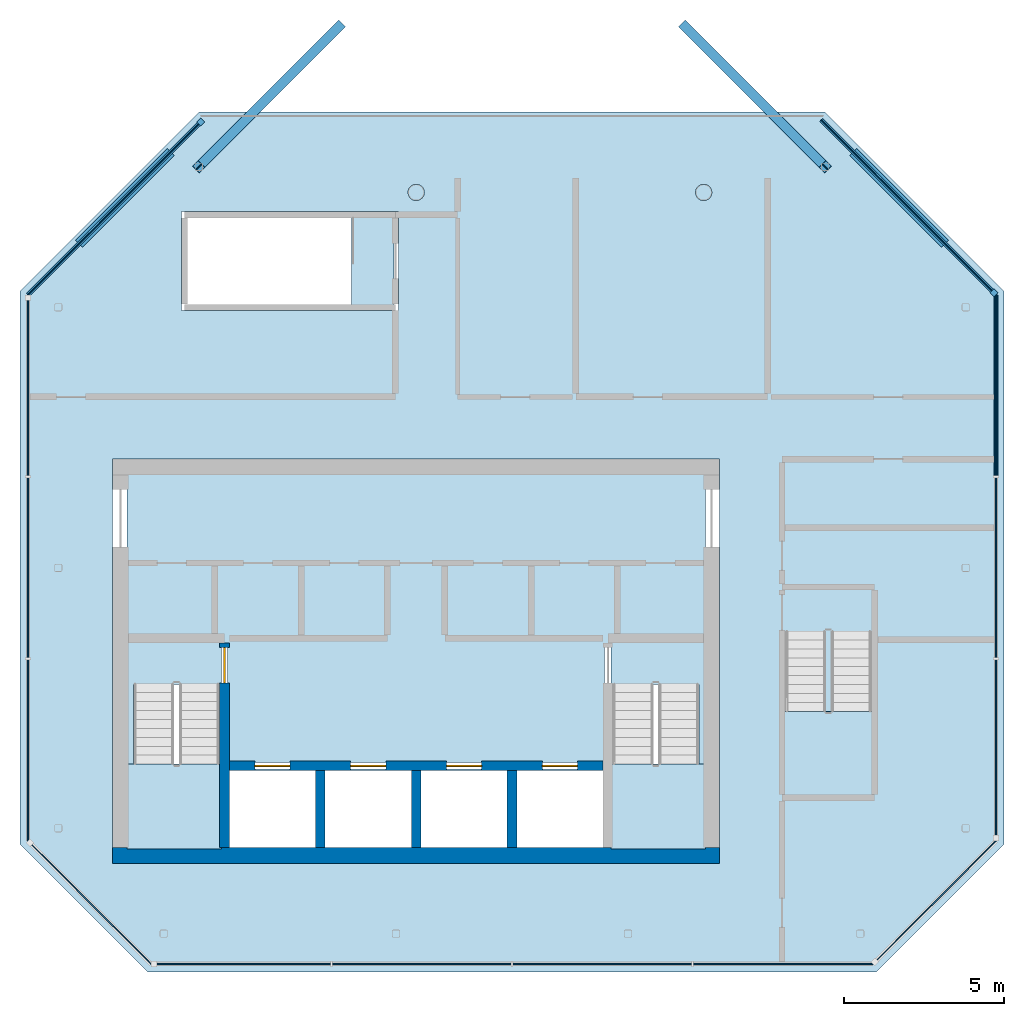
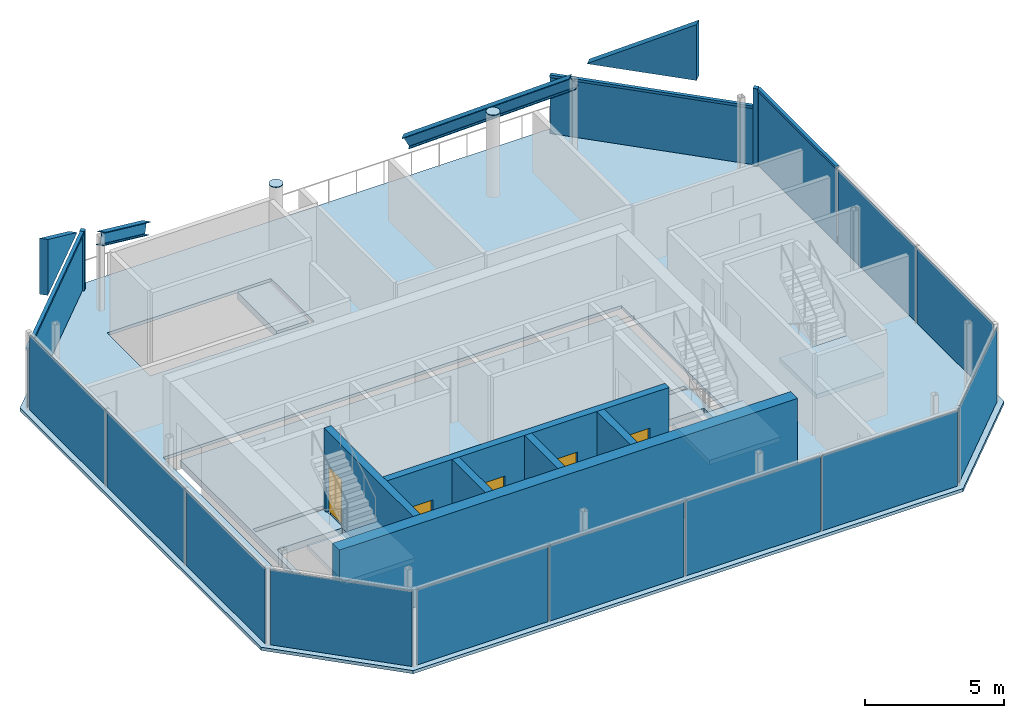
# One storey, part 2 of 5: 18 plates, 6 slabs, 6 walls, 5 doors, 5 members, 2 beams, 5 openings, 10 elements without a shape of their own.
"""IFC4 building model written with IfcOpenShell, lengths in metres."""

from ifc_helpers import new_model, si_unit, direction, frame, frame_2d, origin, origin_2d, place, context, subcontext, project, spatial, polyline, rectangle, circle, i_section, outline, extrude, material, layer, layer_set, material_profile, profile_set, type_object, element, fill, aggregate, save


model = new_model("IFC4")

# Units and contexts
model_context = context("Model", 3, precision=1e-05, world=origin(), true_north=direction((0.0, 1.0)))
body_context = subcontext(model_context, "Body", "Model", "MODEL_VIEW")
ifc_project = project(units=[si_unit("LENGTHUNIT", "METRE"), si_unit("AREAUNIT", "SQUARE_METRE"), si_unit("VOLUMEUNIT", "CUBIC_METRE"), si_unit("PLANEANGLEUNIT", "RADIAN"), si_unit("MASSUNIT", "GRAM", prefix="KILO")], contexts=[model_context])

# Site, building, storey
site_placement = place(None, origin())
site = spatial("IfcSite", under=ifc_project, at=site_placement, CompositionType="ELEMENT")
building_placement = place(site_placement, origin())
building = spatial("IfcBuilding", under=site, at=building_placement, Name="Tskaro Facet Tower", CompositionType="ELEMENT")
storey_placement = place(building_placement, frame((0.0, 0.0, 300.89990234375)))
storey = spatial("IfcBuildingStorey", under=building, at=storey_placement, Name="L81", CompositionType="ELEMENT", Elevation=300.89990234375)

# Curtain wall, member
ifc_material_1 = material(Name="Bronze anodised aluminium 6063-T6", Category="aluminium")
curtain_wall_type = type_object("IfcCurtainWallType", Name="Bronze crown curtain wall (FW5)", PredefinedType="NOTDEFINED", material=ifc_material_1)
curtain_wall_1_placement = place(storey_placement, origin())
curtain_wall_1 = element("IfcCurtainWall", 1, at=curtain_wall_1_placement, inside=storey, type_object=curtain_wall_type, Name="FW5 north-east facet L81", PredefinedType="NOTDEFINED")
ifc_material_profile_1 = material_profile(ifc_material_1, rectangle(XDim=0.179931640625, YDim=0.179931640625, at=origin_2d()), Name="Corner post 180x180")
ifc_profile_set_1 = profile_set([ifc_material_profile_1], Name="Bronze anodised aluminium 6063-T6")
member_type_1 = type_object("IfcMemberType", Name="FW5 bronze corner post 180x180", PredefinedType="MULLION", material=ifc_profile_set_1)
member_1_placement = place(storey_placement, frame((18.08642578125, 5.859619140625, 0.0), z_axis=(0.0, 0.0, 1.0), x_axis=(-0.707106781187, 0.707106781187, 0.0)))
member_1 = element("IfcMember", 2, at=member_1_placement, type_object=member_type_1, Name="FW5 north-east corner post", PredefinedType="MULLION", context=body_context, shape_type="SweptSolid", body=[
    extrude(rectangle(XDim=0.179931640625, YDim=0.179931640625, at=origin_2d()), origin(), (0.0, 0.0, 1.0), 3.400146484375),
])

curtain_wall_2_placement = place(storey_placement, origin())
curtain_wall_2 = element("IfcCurtainWall", 3, at=curtain_wall_2_placement, inside=storey, type_object=curtain_wall_type, Name="FW5 north-west facet L81", PredefinedType="NOTDEFINED")
member_2_placement = place(storey_placement, frame((-6.74169921875, 11.204345703125, 0.0), z_axis=(0.0, 0.0, 1.0), x_axis=(-0.707106781187, -0.707106781187, 0.0)))
member_2 = element("IfcMember", 4, at=member_2_placement, type_object=member_type_1, Name="FW5 north-west corner post", PredefinedType="MULLION", context=body_context, shape_type="SweptSolid", body=[
    extrude(rectangle(XDim=0.179931640625, YDim=0.179931640625, at=origin_2d()), origin(), (0.0, 0.0, 1.0), 2.599853515625),
])

curtain_wall_3_placement = place(storey_placement, origin())
curtain_wall_3 = element("IfcCurtainWall", 5, at=curtain_wall_3_placement, inside=storey, type_object=curtain_wall_type, Name="FW5 east facet L81", PredefinedType="NOTDEFINED")
ifc_material_profile_2 = material_profile(ifc_material_1, rectangle(XDim=0.139892578125, YDim=0.110107421875, at=origin_2d()), Name="Transom 140x110")
ifc_profile_set_2 = profile_set([ifc_material_profile_2], Name="Bronze anodised aluminium 6063-T6")
member_type_2 = type_object("IfcMemberType", Name="FW5 bronze transom 140x110", PredefinedType="USERDEFINED", material=ifc_profile_set_2)
member_3_placement = place(storey_placement, frame((18.14990234375, 0.133544921875, 3.34521484375), z_axis=(0.0, 1.0, 0.0), x_axis=(-1.0, 0.0, 0.0)))
member_3 = element("IfcMember", 6, at=member_3_placement, type_object=member_type_2, Name="FW5 east transom 3.1", ObjectType="TRANSOM", PredefinedType="USERDEFINED", context=body_context, shape_type="SweptSolid", body=[
    extrude(rectangle(XDim=0.139892578125, YDim=0.110107421875, at=origin_2d()), origin(), (0.0, 0.0, 1.0), 5.662353515625),
])

# Member
member_4_placement = place(storey_placement, frame((18.022705078125, 5.92333984375, 2.544921875), z_axis=(-0.707106781187, 0.707106781187, 0.0), x_axis=(-0.707106781187, -0.707106781187, 0.0)))
member_4 = element("IfcMember", 7, at=member_4_placement, type_object=member_type_2, Name="FW5 north-east transom 1.1", ObjectType="TRANSOM", PredefinedType="USERDEFINED", context=body_context, shape_type="SweptSolid", body=[
    extrude(rectangle(XDim=0.139892578125, YDim=0.110107421875, at=origin_2d()), origin(), (0.0, 0.0, 1.0), 7.55859375),
])

member_5_placement = place(storey_placement, frame((-6.80517578125, 11.140625, 2.544921875), z_axis=(-0.707106781187, -0.707106781187, 0.0), x_axis=(0.707106781187, -0.707106781187, 0.0)))
member_5 = element("IfcMember", 8, at=member_5_placement, type_object=member_type_2, Name="FW5 north-west transom 1.1", ObjectType="TRANSOM", PredefinedType="USERDEFINED", context=body_context, shape_type="SweptSolid", body=[
    extrude(rectangle(XDim=0.139892578125, YDim=0.110107421875, at=origin_2d()), origin(), (0.0, 0.0, 1.0), 7.55859375),
])

# Beams
ifc_material_2 = material(Name="Steel S355J2", Category="steel")
ifc_material_profile_3 = material_profile(ifc_material_2, i_section(OverallWidth=0.300048828125, OverallDepth=0.5, WebThickness=0.014404296875, FlangeThickness=0.028076171875, FilletRadius=0.027099609375, at=origin_2d()), Name="HE 500 B")
ifc_profile_set_3 = profile_set([ifc_material_profile_3], Name="Steel S355J2")
beam_type = type_object("IfcBeamType", Name="HE 500 B roof ring beam", PredefinedType="BEAM", material=ifc_profile_set_3)
beam_1_placement = place(storey_placement, frame((12.802001953125, 9.802001953125, 3.093017578125), z_axis=(-0.606144689886, 0.60601012563, -0.515111970892), x_axis=(-0.707028279185, -0.707185274473, 0.0)))
element("IfcBeam", 9, at=beam_1_placement, inside=storey, type_object=beam_type, Name="HE 500 B RB8-6", PredefinedType="BEAM", context=body_context, shape_type="SweptSolid", body=[
    extrude(i_section(OverallWidth=0.300048828125, OverallDepth=0.5, WebThickness=0.014404296875, FlangeThickness=0.028076171875, FilletRadius=0.027099609375, at=origin_2d()), origin(), (0.0, 0.0, 1.0), 7.25732421875),
])
beam_2_placement = place(storey_placement, frame((-2.403076171875, 14.199951171875, -0.645263671875), z_axis=(-0.605978620508, -0.606113177768, 0.515186109308), x_axis=(0.707185274473, -0.707028279185, 0.0)))
element("IfcBeam", 10, at=beam_2_placement, inside=storey, type_object=beam_type, Name="HE 500 B RB11-6", PredefinedType="BEAM", context=body_context, shape_type="SweptSolid", body=[
    extrude(i_section(OverallWidth=0.300048828125, OverallDepth=0.5, WebThickness=0.014404296875, FlangeThickness=0.028076171875, FilletRadius=0.027099609375, at=origin_2d()), origin(), (0.0, 0.0, 1.0), 7.257568359375),
])

# Slab
ifc_material_3 = material(Name="Concrete C30/37", Category="concrete")
ifc_layer_1 = layer(ifc_material_3, 0.139892578125, Name="Concrete C30/37")
ifc_layer_set_1 = layer_set([ifc_layer_1], Name="Concrete C30/37")
slab_type_1 = type_object("IfcSlabType", Name="Composite deck floor slab", PredefinedType="FLOOR", material=ifc_layer_set_1)
slab_1_placement = place(storey_placement, frame((0.0, 0.0, -0.139892578125)))
element("IfcSlab", 11, at=slab_1_placement, inside=storey, type_object=slab_type_1, Name="Floor slab L81", PredefinedType="FLOOR", context=body_context, shape_type="SweptSolid", body=[
    extrude(outline(polyline([(-12.39990234375, 5.89990234375), (-6.781982421875, 11.51806640625), (12.781982421875, 11.51806640625), (18.39990234375, 5.89990234375), (18.39990234375, -11.39990234375), (14.39990234375, -15.39990234375), (-8.39990234375, -15.39990234375), (-12.39990234375, -11.39990234375), (-12.39990234375, 5.89990234375)]), holes=[polyline([(9.5, 0.64990234375), (-9.5, 0.64990234375), (-9.5, -12.0), (9.5, -12.0), (9.5, 0.64990234375)]), polyline([(-0.550048828125, 5.300048828125), (-0.550048828125, 8.39990234375), (-7.35009765625, 8.39990234375), (-7.35009765625, 5.300048828125), (-0.550048828125, 5.300048828125)])]), origin(), (0.0, 0.0, 1.0), 0.139892578125),
])

# Plates
ifc_material_4 = material(Name="Bronze anodised aluminium cladding 5005-H34", Category="aluminium")
ifc_layer_2 = layer(ifc_material_4, 0.300048828125, Name="Bronze anodised aluminium cladding 5005-H34")
ifc_layer_set_2 = layer_set([ifc_layer_2], Name="Bronze anodised aluminium cladding 5005-H34")
plate_type_1 = type_object("IfcPlateType", Name="Crown cladding panel", PredefinedType="SHEET", material=ifc_layer_set_2)
plate_1_placement = place(storey_placement, frame((16.552490234375, 7.393310546875, 3.400146484375), z_axis=(0.0, 0.0, 1.0), x_axis=(-0.707106781187, 0.707106781187, 0.0)))
element("IfcPlate", 12, at=plate_1_placement, inside=storey, type_object=plate_type_1, Name="Crown cladding panel north-east L81", PredefinedType="SHEET", context=body_context, shape_type="SweptSolid", body=[
    extrude(outline(polyline([(0.0, 0.0), (4.06494140625, 0.0), (4.064697265625, 0.009765625), (0.0, 2.452880859375), (0.0, 0.0)])), frame((0.0, 0.14990234375, 0.0), z_axis=(0.0, -1.0, 0.0), x_axis=(1.0, 0.0, 0.0)), (0.0, 0.0, 1.0), 0.300048828125),
])
plate_2_placement = place(storey_placement, frame((-7.67822265625, 10.267578125, 3.400146484375), z_axis=(0.0, 0.0, 1.0), x_axis=(-0.707106781187, -0.707106781187, 0.0)))
element("IfcPlate", 13, at=plate_2_placement, inside=storey, type_object=plate_type_1, Name="Crown cladding panel north-west L81", PredefinedType="SHEET", context=body_context, shape_type="SweptSolid", body=[
    extrude(outline(polyline([(0.0, 0.0), (4.06494140625, 0.0), (4.064697265625, 2.452880859375), (0.0, 0.009765625), (0.0, 0.0)])), frame((0.0, 0.14990234375, 0.0), z_axis=(0.0, -1.0, 0.0), x_axis=(1.0, 0.0, 0.0)), (0.0, 0.0, 1.0), 0.300048828125),
])

# Curtain wall, plates
curtain_wall_4_placement = place(storey_placement, origin())
curtain_wall_4 = element("IfcCurtainWall", 14, at=curtain_wall_4_placement, inside=storey, type_object=curtain_wall_type, Name="FW5 south facet L81", PredefinedType="NOTDEFINED")
ifc_material_5 = material(Name="Bronze reflective glass", Category="glass")
ifc_layer_3 = layer(ifc_material_5, 0.033935546875, Name="Bronze reflective glass")
ifc_layer_set_3 = layer_set([ifc_layer_3], Name="Bronze reflective glass")
plate_type_2 = type_object("IfcPlateType", Name="FW5 bronze-tinted unit glazing 34", PredefinedType="CURTAIN_PANEL", material=ifc_layer_set_3)
plate_3_placement = place(storey_placement, frame((-5.3994140625, -15.14990234375, 0.0), z_axis=(0.0, 0.0, 1.0), x_axis=(1.0, 0.0, 0.0)))
plate_3 = element("IfcPlate", 15, at=plate_3_placement, type_object=plate_type_2, Name="FW5 south glazing 1.1", PredefinedType="CURTAIN_PANEL", context=body_context, shape_type="SweptSolid", body=[
    extrude(rectangle(XDim=5.43310546875, YDim=0.033935546875, at=origin_2d()), origin(), (0.0, 0.0, 1.0), 3.2900390625),
])
plate_4_placement = place(storey_placement, frame((0.176025390625, -15.14990234375, 0.0), z_axis=(0.0, 0.0, 1.0), x_axis=(1.0, 0.0, 0.0)))
plate_4 = element("IfcPlate", 16, at=plate_4_placement, type_object=plate_type_2, Name="FW5 south glazing 2.1", PredefinedType="CURTAIN_PANEL", context=body_context, shape_type="SweptSolid", body=[
    extrude(rectangle(XDim=5.577880859375, YDim=0.033935546875, at=origin_2d()), origin(), (0.0, 0.0, 1.0), 3.2900390625),
])
plate_5_placement = place(storey_placement, frame((5.823974609375, -15.14990234375, 0.0), z_axis=(0.0, 0.0, 1.0), x_axis=(1.0, 0.0, 0.0)))
plate_5 = element("IfcPlate", 17, at=plate_5_placement, type_object=plate_type_2, Name="FW5 south glazing 3.1", PredefinedType="CURTAIN_PANEL", context=body_context, shape_type="SweptSolid", body=[
    extrude(rectangle(XDim=5.577880859375, YDim=0.033935546875, at=origin_2d()), origin(), (0.0, 0.0, 1.0), 3.2900390625),
])
plate_6_placement = place(storey_placement, frame((11.489501953125, -15.14990234375, 0.0), z_axis=(0.0, 0.0, 1.0), x_axis=(1.0, 0.0, 0.0)))
plate_6 = element("IfcPlate", 18, at=plate_6_placement, type_object=plate_type_2, Name="FW5 south glazing 4.1", PredefinedType="CURTAIN_PANEL", context=body_context, shape_type="SweptSolid", body=[
    extrude(rectangle(XDim=5.613037109375, YDim=0.033935546875, at=origin_2d()), origin(), (0.0, 0.0, 1.0), 3.2900390625),
])
aggregate(curtain_wall_4, [plate_3, plate_4, plate_5, plate_6])

# Curtain wall, plate
curtain_wall_5_placement = place(storey_placement, origin())
curtain_wall_5 = element("IfcCurtainWall", 19, at=curtain_wall_5_placement, inside=storey, type_object=curtain_wall_type, Name="FW5 south-east facet L81", PredefinedType="NOTDEFINED")
plate_7_placement = place(storey_placement, frame((16.28662109375, -13.159423828125, 0.0), z_axis=(0.0, 0.0, 1.0), x_axis=(0.707106781187, 0.707106781187, 0.0)))
plate_7 = element("IfcPlate", 20, at=plate_7_placement, type_object=plate_type_2, Name="FW5 south-east glazing 1.1", PredefinedType="CURTAIN_PANEL", context=body_context, shape_type="SweptSolid", body=[
    extrude(rectangle(XDim=5.270263671875, YDim=0.033935546875, at=origin_2d()), origin(), (0.0, 0.0, 1.0), 3.2900390625),
])
aggregate(curtain_wall_5, [plate_7])

# Plate
plate_8_placement = place(storey_placement, frame((18.14990234375, -8.374755859375, 0.0), z_axis=(0.0, 0.0, 1.0), x_axis=(0.0, 1.0, 0.0)))
plate_8 = element("IfcPlate", 21, at=plate_8_placement, type_object=plate_type_2, Name="FW5 east glazing 1.1", PredefinedType="CURTAIN_PANEL", context=body_context, shape_type="SweptSolid", body=[
    extrude(rectangle(XDim=5.482421875, YDim=0.033935546875, at=origin_2d()), origin(), (0.0, 0.0, 1.0), 3.2900390625),
])

plate_9_placement = place(storey_placement, frame((18.14990234375, -2.75, 0.0), z_axis=(0.0, 0.0, 1.0), x_axis=(0.0, 1.0, 0.0)))
plate_9 = element("IfcPlate", 22, at=plate_9_placement, type_object=plate_type_2, Name="FW5 east glazing 2.1", PredefinedType="CURTAIN_PANEL", context=body_context, shape_type="SweptSolid", body=[
    extrude(rectangle(XDim=5.62744140625, YDim=0.033935546875, at=origin_2d()), origin(), (0.0, 0.0, 1.0), 3.2900390625),
])

plate_10_placement = place(storey_placement, frame((18.14990234375, 2.96484375, 0.0), z_axis=(0.0, 0.0, 1.0), x_axis=(0.0, 1.0, 0.0)))
plate_10 = element("IfcPlate", 23, at=plate_10_placement, type_object=plate_type_2, Name="FW5 east glazing 3.1", PredefinedType="CURTAIN_PANEL", context=body_context, shape_type="SweptSolid", body=[
    extrude(rectangle(XDim=5.662353515625, YDim=0.033935546875, at=origin_2d()), origin(), (0.0, 0.0, 1.0), 3.2900390625),
])

aggregate(curtain_wall_3, [plate_8, plate_9, member_3, plate_10])

plate_11_placement = place(storey_placement, frame((15.350341796875, 8.595703125, 0.0), z_axis=(0.0, 0.0, 1.0), x_axis=(-0.707106781187, 0.707106781187, 0.0)))
plate_11 = element("IfcPlate", 24, at=plate_11_placement, type_object=plate_type_2, Name="FW5 north-east glazing 1.1", PredefinedType="CURTAIN_PANEL", context=body_context, shape_type="SweptSolid", body=[
    extrude(rectangle(XDim=7.55859375, YDim=0.033935546875, at=origin_2d()), origin(), (0.0, 0.0, 1.0), 2.48974609375),
])

aggregate(curtain_wall_1, [member_1, member_4, plate_11])

plate_12_placement = place(storey_placement, frame((-9.4775390625, 8.46826171875, 0.0), z_axis=(0.0, 0.0, 1.0), x_axis=(-0.707106781187, -0.707106781187, 0.0)))
plate_12 = element("IfcPlate", 25, at=plate_12_placement, type_object=plate_type_2, Name="FW5 north-west glazing 1.1", PredefinedType="CURTAIN_PANEL", context=body_context, shape_type="SweptSolid", body=[
    extrude(rectangle(XDim=7.55859375, YDim=0.033935546875, at=origin_2d()), origin(), (0.0, 0.0, 1.0), 2.48974609375),
])

aggregate(curtain_wall_2, [member_2, member_5, plate_12])

# Curtain wall, plates
curtain_wall_6_placement = place(storey_placement, origin())
curtain_wall_6 = element("IfcCurtainWall", 26, at=curtain_wall_6_placement, inside=storey, type_object=curtain_wall_type, Name="FW5 west facet L81", PredefinedType="NOTDEFINED")
plate_13_placement = place(storey_placement, frame((-12.14990234375, 2.874755859375, 0.0), z_axis=(0.0, 0.0, 1.0), x_axis=(0.0, -1.0, 0.0)))
plate_13 = element("IfcPlate", 27, at=plate_13_placement, type_object=plate_type_2, Name="FW5 west glazing 1.1", PredefinedType="CURTAIN_PANEL", context=body_context, shape_type="SweptSolid", body=[
    extrude(rectangle(XDim=5.482421875, YDim=0.033935546875, at=origin_2d()), origin(), (0.0, 0.0, 1.0), 3.2900390625),
])
plate_14_placement = place(storey_placement, frame((-12.14990234375, -2.75, 0.0), z_axis=(0.0, 0.0, 1.0), x_axis=(0.0, -1.0, 0.0)))
plate_14 = element("IfcPlate", 28, at=plate_14_placement, type_object=plate_type_2, Name="FW5 west glazing 2.1", PredefinedType="CURTAIN_PANEL", context=body_context, shape_type="SweptSolid", body=[
    extrude(rectangle(XDim=5.62744140625, YDim=0.033935546875, at=origin_2d()), origin(), (0.0, 0.0, 1.0), 3.2900390625),
])
plate_15_placement = place(storey_placement, frame((-12.14990234375, -8.46484375, 0.0), z_axis=(0.0, 0.0, 1.0), x_axis=(0.0, -1.0, 0.0)))
plate_15 = element("IfcPlate", 29, at=plate_15_placement, type_object=plate_type_2, Name="FW5 west glazing 3.1", PredefinedType="CURTAIN_PANEL", context=body_context, shape_type="SweptSolid", body=[
    extrude(rectangle(XDim=5.662353515625, YDim=0.033935546875, at=origin_2d()), origin(), (0.0, 0.0, 1.0), 3.2900390625),
])
aggregate(curtain_wall_6, [plate_13, plate_14, plate_15])

# Curtain wall, plate
curtain_wall_7_placement = place(storey_placement, origin())
curtain_wall_7 = element("IfcCurtainWall", 30, at=curtain_wall_7_placement, inside=storey, type_object=curtain_wall_type, Name="FW5 south-west facet L81", PredefinedType="NOTDEFINED")
plate_16_placement = place(storey_placement, frame((-10.159423828125, -13.28662109375, 0.0), z_axis=(0.0, 0.0, 1.0), x_axis=(0.707106781187, -0.707106781187, 0.0)))
plate_16 = element("IfcPlate", 31, at=plate_16_placement, type_object=plate_type_2, Name="FW5 south-west glazing 1.1", PredefinedType="CURTAIN_PANEL", context=body_context, shape_type="SweptSolid", body=[
    extrude(rectangle(XDim=5.270263671875, YDim=0.033935546875, at=origin_2d()), origin(), (0.0, 0.0, 1.0), 3.2900390625),
])
aggregate(curtain_wall_7, [plate_16])

# Plates
ifc_material_profile_4 = material_profile(ifc_material_2, circle(Radius=0.25390625, at=origin_2d()), Name="PL 508 dia x30 end plate")
ifc_profile_set_4 = profile_set([ifc_material_profile_4], Name="Steel S355J2")
plate_type_3 = type_object("IfcPlateType", Name="PL 508 dia x30 end plate", PredefinedType="SHEET", material=ifc_profile_set_4)
for number, where, z_axis, x_axis, name in (
    (32, (0.0, 9.0, 3.60009765625), (0.0, 0.0, 1.0), (1.0, 0.0, 0.0), "End plate CP3-03"),
    (33, (9.0, 9.0, 3.60009765625), (0.0, 0.0, 1.0), (1.0, 0.0, 0.0), "End plate CP3-04"),
):
    element("IfcPlate", number, at=place(storey_placement, frame(where, z_axis=z_axis, x_axis=x_axis)), inside=storey, type_object=plate_type_3, Name=name, PredefinedType="SHEET", context=body_context, shape_type="SweptSolid", body=[
        extrude(circle(Radius=0.25390625, at=origin_2d()), origin(), (0.0, 0.0, 1.0), 0.030029296875),
    ])

# Stair, slab
ifc_material_6 = material(Name="Concrete C40/50", Category="concrete")
stair_type = type_object("IfcStairType", Name="ST-TWR", PredefinedType="HALF_TURN_STAIR", material=ifc_material_6)
stair_1_placement = place(storey_placement, origin())
stair_1 = element("IfcStair", 34, at=stair_1_placement, inside=storey, type_object=stair_type, Name="L81 Exit stair 1", PredefinedType="HALF_TURN_STAIR")
ifc_layer_4 = layer(ifc_material_6, 0.199951171875, Name="Concrete C40/50")
ifc_layer_set_4 = layer_set([ifc_layer_4], Name="Concrete C40/50")
slab_type_2 = type_object("IfcSlabType", Name="SL-LANDING", PredefinedType="LANDING", material=ifc_layer_set_4)
slab_2_placement = place(storey_placement, frame((0.0, 0.0, 1.60009765625)))
slab_2 = element("IfcSlab", 35, at=slab_2_placement, type_object=slab_type_2, Name="ST-1 landing 1", PredefinedType="LANDING", context=body_context, shape_type="SweptSolid", body=[
    extrude(outline(polyline([(-9.050048828125, -11.550048828125), (-6.10009765625, -11.550048828125), (-6.10009765625, -8.89501953125), (-9.050048828125, -8.89501953125), (-9.050048828125, -11.550048828125)])), origin(), (0.0, 0.0, 1.0), 0.199951171875),
])
aggregate(stair_1, [slab_2])

stair_2_placement = place(storey_placement, origin())
stair_2 = element("IfcStair", 36, at=stair_2_placement, inside=storey, type_object=stair_type, Name="L81 Exit stair 2", PredefinedType="HALF_TURN_STAIR")
slab_3_placement = place(storey_placement, frame((0.0, 0.0, 1.60009765625)))
slab_3 = element("IfcSlab", 37, at=slab_3_placement, type_object=slab_type_2, Name="ST-2 landing 1", PredefinedType="LANDING", context=body_context, shape_type="SweptSolid", body=[
    extrude(outline(polyline([(6.10009765625, -11.550048828125), (9.050048828125, -11.550048828125), (9.050048828125, -8.89501953125), (6.10009765625, -8.89501953125), (6.10009765625, -11.550048828125)])), origin(), (0.0, 0.0, 1.0), 0.199951171875),
])
aggregate(stair_2, [slab_3])

stair_3_placement = place(storey_placement, origin())
stair_3 = element("IfcStair", 38, at=stair_3_placement, inside=storey, type_object=stair_type, Name="L81 Exit stair 4", PredefinedType="HALF_TURN_STAIR")
slab_4_placement = place(storey_placement, frame((0.0, 0.0, 1.60009765625)))
slab_4 = element("IfcSlab", 39, at=slab_4_placement, type_object=slab_type_2, Name="ST-4 landing 1", PredefinedType="LANDING", context=body_context, shape_type="SweptSolid", body=[
    extrude(outline(polyline([(11.5, -9.89990234375), (14.300048828125, -9.89990234375), (14.300048828125, -7.2451171875), (11.5, -7.2451171875), (11.5, -9.89990234375)])), origin(), (0.0, 0.0, 1.0), 0.199951171875),
])
aggregate(stair_3, [slab_4])

# Slabs
ifc_material_7 = material(Name="Concrete C60/75", Category="concrete")
ifc_layer_5 = layer(ifc_material_7, 0.300048828125, Name="Concrete C60/75")
ifc_layer_set_5 = layer_set([ifc_layer_5], Name="Concrete C60/75")
slab_type_3 = type_object("IfcSlabType", Name="SLAB-CORE", PredefinedType="FLOOR", material=ifc_layer_set_5)
slab_5_placement = place(storey_placement, frame((0.0, 0.0, -0.2998046875)))
element("IfcSlab", 40, at=slab_5_placement, inside=storey, type_object=slab_type_3, Name="Core floor slab 1", PredefinedType="FLOOR", context=body_context, shape_type="SweptSolid", body=[
    extrude(outline(polyline([(-9.050048828125, 0.199951171875), (9.050048828125, 0.199951171875), (9.050048828125, 0.10009765625), (9.050048828125, -11.449951171875), (9.050048828125, -11.550048828125), (-9.050048828125, -11.550048828125), (-9.050048828125, -11.449951171875), (-9.050048828125, 0.10009765625), (-9.050048828125, 0.199951171875)]), holes=[polyline([(-5.85009765625, -11.5), (-3.14990234375, -11.5), (-3.14990234375, -9.10009765625), (-5.85009765625, -9.10009765625), (-5.85009765625, -11.5)]), polyline([(-3.10009765625, -11.449951171875), (-2.89990234375, -11.449951171875), (-2.89990234375, -9.14990234375), (-3.10009765625, -9.14990234375), (-3.10009765625, -11.449951171875)]), polyline([(-2.85009765625, -9.10009765625), (-2.85009765625, -11.5), (-0.14990234375, -11.5), (-0.14990234375, -9.10009765625), (-2.85009765625, -9.10009765625)]), polyline([(0.10009765625, -11.449951171875), (0.10009765625, -9.14990234375), (-0.10009765625, -9.14990234375), (-0.10009765625, -11.449951171875), (0.10009765625, -11.449951171875)]), polyline([(-6.10009765625, -11.449951171875), (-5.89990234375, -11.449951171875), (-5.89990234375, -5.14990234375), (-6.10009765625, -5.14990234375), (-6.10009765625, -11.449951171875)]), polyline([(-6.050048828125, -5.050048828125), (-6.050048828125, -4.85009765625), (-8.949951171875, -4.85009765625), (-8.949951171875, -5.050048828125), (-6.050048828125, -5.050048828125)]), polyline([(0.14990234375, -9.10009765625), (0.14990234375, -11.5), (2.85009765625, -11.5), (2.85009765625, -9.10009765625), (0.14990234375, -9.10009765625)]), polyline([(2.89990234375, -11.449951171875), (3.10009765625, -11.449951171875), (3.10009765625, -9.14990234375), (2.89990234375, -9.14990234375), (2.89990234375, -11.449951171875)]), polyline([(3.14990234375, -11.5), (5.85009765625, -11.5), (5.85009765625, -9.10009765625), (3.14990234375, -9.10009765625), (3.14990234375, -11.5)]), polyline([(-5.800048828125, -9.050048828125), (5.800048828125, -9.050048828125), (5.800048828125, -8.85009765625), (-5.800048828125, -8.85009765625), (-5.800048828125, -9.050048828125)]), polyline([(6.10009765625, -11.449951171875), (6.10009765625, -5.14990234375), (5.89990234375, -5.14990234375), (5.89990234375, -11.449951171875), (6.10009765625, -11.449951171875)]), polyline([(6.050048828125, -5.050048828125), (8.949951171875, -5.050048828125), (8.949951171875, -4.85009765625), (6.050048828125, -4.85009765625), (6.050048828125, -5.050048828125)]), polyline([(-8.85009765625, -11.5), (-6.14990234375, -11.5), (-6.14990234375, -6.39501953125), (-8.85009765625, -6.39501953125), (-8.85009765625, -11.5)]), polyline([(6.14990234375, -6.39501953125), (6.14990234375, -11.5), (8.85009765625, -11.5), (8.85009765625, -6.39501953125), (6.14990234375, -6.39501953125)])]), origin(), (0.0, 0.0, 1.0), 0.2998046875),
])
slab_6_placement = place(storey_placement, frame((0.0, 0.0, -0.2998046875)))
element("IfcSlab", 41, at=slab_6_placement, inside=storey, type_object=slab_type_3, Name="Stair 3 floor landing 1", PredefinedType="FLOOR", context=body_context, shape_type="SweptSolid", body=[
    extrude(outline(polyline([(-2.02490234375, 5.449951171875), (-0.699951171875, 5.449951171875), (-0.699951171875, 8.25), (-2.02490234375, 8.25), (-2.02490234375, 5.449951171875)])), origin(), (0.0, 0.0, 1.0), 0.2998046875),
])

# Wall, openings, doors
ifc_layer_6 = layer(ifc_material_7, 0.300048828125, Name="Concrete C60/75")
ifc_layer_set_6 = layer_set([ifc_layer_6], Name="Concrete C60/75")
wall_type_1 = type_object("IfcWallType", Name="CORE-SHAFT", PredefinedType="SHEAR", material=ifc_layer_set_6)
wall_1_placement = place(storey_placement, frame((-5.85009765625, -8.949951171875, 0.0), z_axis=(0.0, 0.0, 1.0), x_axis=(1.0, 0.0, 0.0)))
wall_1 = element("IfcWall", 42, at=wall_1_placement, inside=storey, type_object=wall_type_1, Name="Shaft wall W002", PredefinedType="SHEAR", context=body_context, shape_type="SweptSolid", body=[
    extrude(rectangle(XDim=11.7001953125, YDim=0.300048828125, at=frame_2d((5.85009765625, 0.0))), origin(), (0.0, 0.0, 1.0), 3.60009765625),
])
opening_1_placement = place(wall_1_placement, frame((0.800048828125, 0.0, 0.0)))
opening_1 = element("IfcOpeningElement", 43, at=opening_1_placement, cuts=wall_1, Name="Opening LD-FF1", PredefinedType="OPENING", context=body_context, shape_type="SweptSolid", body=[
    extrude(rectangle(XDim=1.10009765625, YDim=2.10009765625, at=frame_2d((0.550048828125, 1.050048828125))), frame((0.0, 0.159912109375, 0.0), z_axis=(0.0, -1.0, 0.0), x_axis=(1.0, 0.0, 0.0)), (0.0, 0.0, 1.0), 0.320068359375),
])
opening_2_placement = place(wall_1_placement, frame((3.800048828125, 0.0, 0.0)))
opening_2 = element("IfcOpeningElement", 44, at=opening_2_placement, cuts=wall_1, Name="Opening LD-FF2", PredefinedType="OPENING", context=body_context, shape_type="SweptSolid", body=[
    extrude(rectangle(XDim=1.10009765625, YDim=2.10009765625, at=frame_2d((0.550048828125, 1.050048828125))), frame((0.0, 0.159912109375, 0.0), z_axis=(0.0, -1.0, 0.0), x_axis=(1.0, 0.0, 0.0)), (0.0, 0.0, 1.0), 0.320068359375),
])
opening_3_placement = place(wall_1_placement, frame((6.800048828125, 0.0, 0.0)))
opening_3 = element("IfcOpeningElement", 45, at=opening_3_placement, cuts=wall_1, Name="Opening LD-SV1", PredefinedType="OPENING", context=body_context, shape_type="SweptSolid", body=[
    extrude(rectangle(XDim=1.10009765625, YDim=2.10009765625, at=frame_2d((0.550048828125, 1.050048828125))), frame((0.0, 0.159912109375, 0.0), z_axis=(0.0, -1.0, 0.0), x_axis=(1.0, 0.0, 0.0)), (0.0, 0.0, 1.0), 0.320068359375),
])
opening_4_placement = place(wall_1_placement, frame((9.800048828125, 0.0, 0.0)))
opening_4 = element("IfcOpeningElement", 46, at=opening_4_placement, cuts=wall_1, Name="Opening LD-SV2", PredefinedType="OPENING", context=body_context, shape_type="SweptSolid", body=[
    extrude(rectangle(XDim=1.10009765625, YDim=2.10009765625, at=frame_2d((0.550048828125, 1.050048828125))), frame((0.0, 0.159912109375, 0.0), z_axis=(0.0, -1.0, 0.0), x_axis=(1.0, 0.0, 0.0)), (0.0, 0.0, 1.0), 0.320068359375),
])
ifc_material_8 = material(Name="Stainless steel", Category="steel")
door_type_1 = type_object("IfcDoorType", Name="D-LANDING", OperationType="NOTDEFINED", PredefinedType="DOOR", material=ifc_material_8)
door_1_placement = place(opening_1_placement, origin())
door_1 = element("IfcDoor", 47, at=door_1_placement, inside=storey, type_object=door_type_1, Name="Landing door FF1", OperationType="DOUBLE_DOOR_SLIDING", OverallHeight=2.10009765625, OverallWidth=1.10009765625, PredefinedType="DOOR", context=body_context, shape_type="SweptSolid", body=[
    extrude(rectangle(XDim=1.10009765625, YDim=2.10009765625, at=frame_2d((0.550048828125, 1.050048828125))), frame((0.0, 0.02490234375, 0.0), z_axis=(0.0, -1.0, 0.0), x_axis=(1.0, 0.0, 0.0)), (0.0, 0.0, 1.0), 0.050048828125),
])
fill(opening_1, door_1)
door_2_placement = place(opening_2_placement, origin())
door_2 = element("IfcDoor", 48, at=door_2_placement, inside=storey, type_object=door_type_1, Name="Landing door FF2", OperationType="DOUBLE_DOOR_SLIDING", OverallHeight=2.10009765625, OverallWidth=1.10009765625, PredefinedType="DOOR", context=body_context, shape_type="SweptSolid", body=[
    extrude(rectangle(XDim=1.10009765625, YDim=2.10009765625, at=frame_2d((0.550048828125, 1.050048828125))), frame((0.0, 0.02490234375, 0.0), z_axis=(0.0, -1.0, 0.0), x_axis=(1.0, 0.0, 0.0)), (0.0, 0.0, 1.0), 0.050048828125),
])
fill(opening_2, door_2)
door_3_placement = place(opening_3_placement, origin())
door_3 = element("IfcDoor", 49, at=door_3_placement, inside=storey, type_object=door_type_1, Name="Landing door SV1", OperationType="DOUBLE_DOOR_SLIDING", OverallHeight=2.10009765625, OverallWidth=1.10009765625, PredefinedType="DOOR", context=body_context, shape_type="SweptSolid", body=[
    extrude(rectangle(XDim=1.10009765625, YDim=2.10009765625, at=frame_2d((0.550048828125, 1.050048828125))), frame((0.0, 0.02490234375, 0.0), z_axis=(0.0, -1.0, 0.0), x_axis=(1.0, 0.0, 0.0)), (0.0, 0.0, 1.0), 0.050048828125),
])
fill(opening_3, door_3)
door_4_placement = place(opening_4_placement, origin())
door_4 = element("IfcDoor", 50, at=door_4_placement, inside=storey, type_object=door_type_1, Name="Landing door SV2", OperationType="DOUBLE_DOOR_SLIDING", OverallHeight=2.10009765625, OverallWidth=1.10009765625, PredefinedType="DOOR", context=body_context, shape_type="SweptSolid", body=[
    extrude(rectangle(XDim=1.10009765625, YDim=2.10009765625, at=frame_2d((0.550048828125, 1.050048828125))), frame((0.0, 0.02490234375, 0.0), z_axis=(0.0, -1.0, 0.0), x_axis=(1.0, 0.0, 0.0)), (0.0, 0.0, 1.0), 0.050048828125),
])
fill(opening_4, door_4)

# Wall, opening, door
wall_2_placement = place(storey_placement, frame((-6.0, -11.5, 0.0), z_axis=(0.0, 0.0, 1.0), x_axis=(0.0, 1.0, 0.0)))
wall_2 = element("IfcWall", 51, at=wall_2_placement, inside=storey, type_object=wall_type_1, Name="Shaft wall W021", PredefinedType="SHEAR", context=body_context, shape_type="SweptSolid", body=[
    extrude(rectangle(XDim=6.39990234375, YDim=0.300048828125, at=frame_2d((3.199951171875, 0.0))), origin(), (0.0, 0.0, 1.0), 3.60009765625),
])
opening_5_placement = place(wall_2_placement, frame((5.14990234375, 0.0, 0.0)))
opening_5 = element("IfcOpeningElement", 52, at=opening_5_placement, cuts=wall_2, Name="Opening ST-1-D1", PredefinedType="OPENING", context=body_context, shape_type="SweptSolid", body=[
    extrude(rectangle(XDim=1.10009765625, YDim=2.10009765625, at=frame_2d((0.550048828125, 1.050048828125))), frame((0.0, 0.159912109375, 0.0), z_axis=(0.0, -1.0, 0.0), x_axis=(1.0, 0.0, 0.0)), (0.0, 0.0, 1.0), 0.320068359375),
])
ifc_material_9 = material(Name="Steel", Category="steel")
door_type_2 = type_object("IfcDoorType", Name="D-STAIR", OperationType="NOTDEFINED", PredefinedType="DOOR", material=ifc_material_9)
door_5_placement = place(opening_5_placement, origin())
door_5 = element("IfcDoor", 53, at=door_5_placement, inside=storey, type_object=door_type_2, Name="Stair door 1", OperationType="SINGLE_SWING_LEFT", OverallHeight=2.10009765625, OverallWidth=1.10009765625, PredefinedType="DOOR", context=body_context, shape_type="SweptSolid", body=[
    extrude(rectangle(XDim=1.10009765625, YDim=2.10009765625, at=frame_2d((0.550048828125, 1.050048828125))), frame((0.0, 0.02490234375, 0.0), z_axis=(0.0, -1.0, 0.0), x_axis=(1.0, 0.0, 0.0)), (0.0, 0.0, 1.0), 0.050048828125),
])
fill(opening_5, door_5)

# Walls
for number, where, z_axis, x_axis, name in (
    (54, (-3.0, -11.5, 0.0), (0.0, 0.0, 1.0), (0.0, 1.0, 0.0), "Shaft wall W023"),
    (55, (0.0, -11.5, 0.0), (0.0, 0.0, 1.0), (0.0, 1.0, 0.0), "Shaft wall W027"),
    (56, (3.0, -11.5, 0.0), (0.0, 0.0, 1.0), (0.0, 1.0, 0.0), "Shaft wall W031"),
):
    element("IfcWall", number, at=place(storey_placement, frame(where, z_axis=z_axis, x_axis=x_axis)), inside=storey, type_object=wall_type_1, Name=name, PredefinedType="SHEAR", context=body_context, shape_type="SweptSolid", body=[
        extrude(rectangle(XDim=2.39990234375, YDim=0.300048828125, at=frame_2d((1.199951171875, 0.0))), origin(), (0.0, 0.0, 1.0), 3.60009765625),
    ])
ifc_layer_7 = layer(ifc_material_6, 0.5, Name="Concrete C40/50")
ifc_layer_set_7 = layer_set([ifc_layer_7], Name="Concrete C40/50")
wall_type_2 = type_object("IfcWallType", Name="Core wall 500", PredefinedType="SHEAR", material=ifc_layer_set_7)
wall_3_placement = place(storey_placement, frame((-9.5, -11.75, 0.0), z_axis=(0.0, 0.0, 1.0), x_axis=(1.0, 0.0, 0.0)))
element("IfcWall", 57, at=wall_3_placement, inside=storey, type_object=wall_type_2, Name="Core wall CW-Z3S", PredefinedType="SHEAR", context=body_context, shape_type="SweptSolid", body=[
    extrude(outline(polyline([(0.0, 0.0), (19.0, 0.0), (19.0, 3.60009765625), (0.0, 3.60009765625), (0.0, 0.0)])), frame((0.0, 0.25, 0.0), z_axis=(0.0, -1.0, 0.0), x_axis=(1.0, 0.0, 0.0)), (0.0, 0.0, 1.0), 0.5),
])

save(model, "model.ifc")
